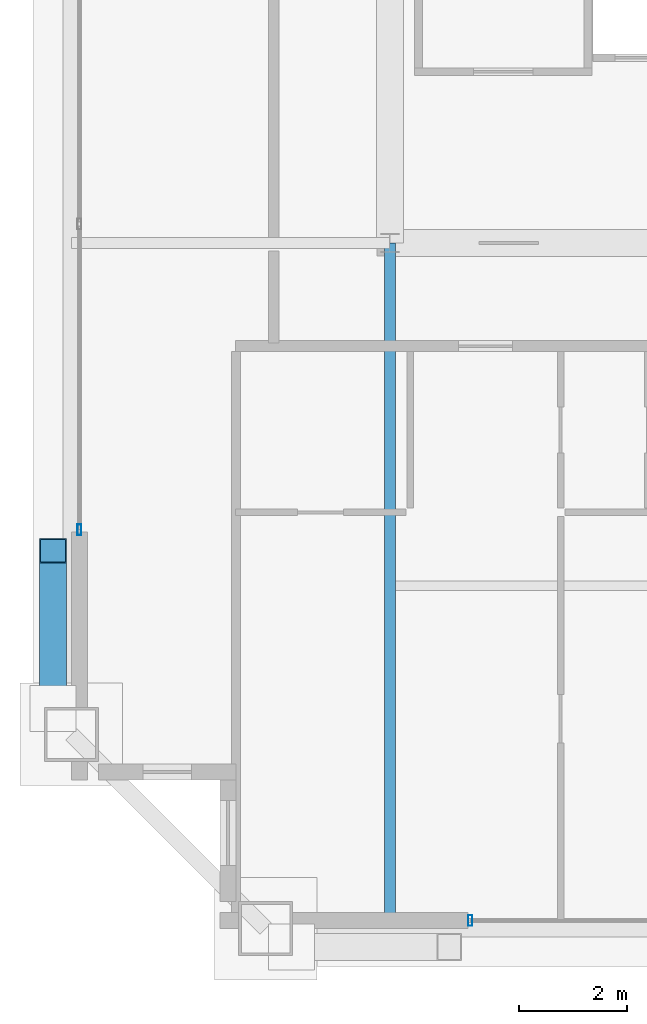
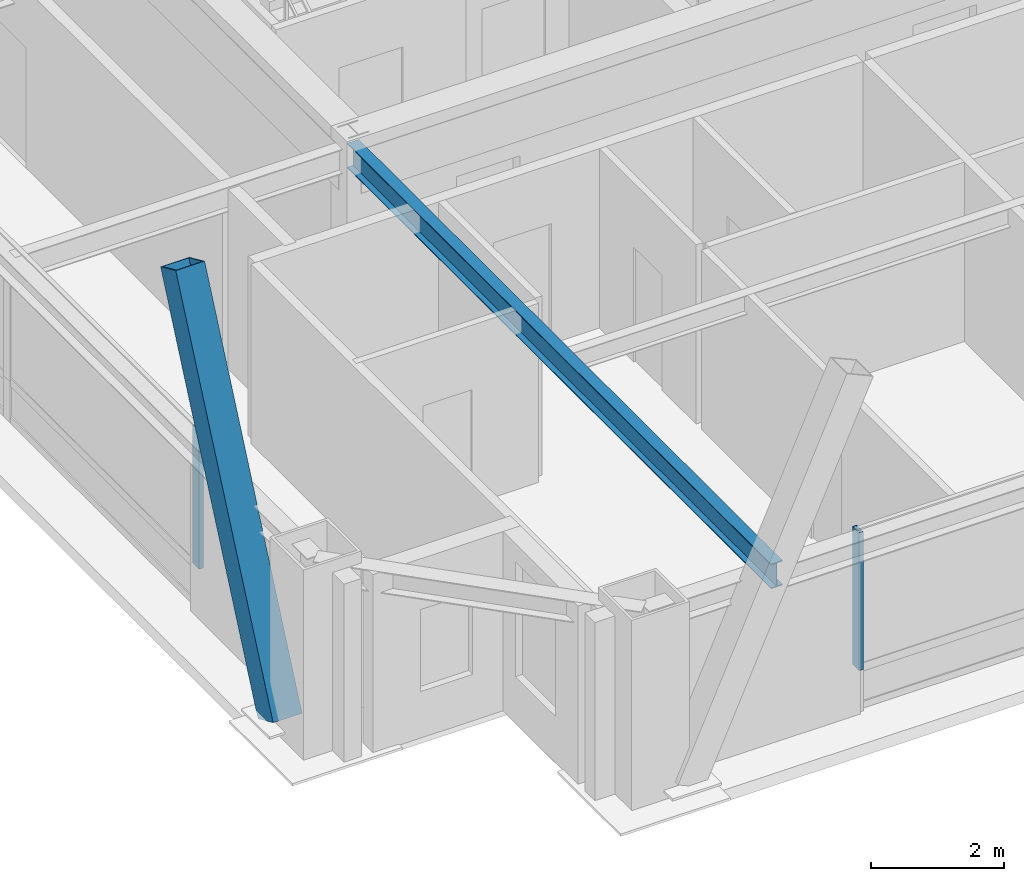
# One storey, part 4 of 35: 3 members, 1 beam, 2 elements without a shape of their own.
"""IFC4 building model written with IfcOpenShell, lengths in metres."""

from ifc_helpers import new_model, si_unit, direction, frame, origin, origin_2d, place, context, subcontext, project, spatial, hollow_rectangle, i_section, extrude, source, transform, mapped, material, layer, layer_set, material_profile, profile_set, type_object, element, aggregate, save


model = new_model("IFC4")

# Units and contexts
model_context = context("Model", 3, precision=1e-05, world=origin(), true_north=direction((0.0, 1.0)))
body_context = subcontext(model_context, "Body", "Model", "MODEL_VIEW")
ifc_project = project(units=[si_unit("LENGTHUNIT", "METRE"), si_unit("AREAUNIT", "SQUARE_METRE"), si_unit("VOLUMEUNIT", "CUBIC_METRE"), si_unit("PLANEANGLEUNIT", "RADIAN"), si_unit("MASSUNIT", "GRAM", prefix="KILO"), si_unit("THERMODYNAMICTEMPERATUREUNIT", "KELVIN"), si_unit("POWERUNIT", "WATT")], contexts=[model_context])

# Site, building, storey
site_placement = place(None, origin())
site = spatial("IfcSite", under=ifc_project, at=site_placement, CompositionType="ELEMENT")
building_placement = place(site_placement, origin())
building = spatial("IfcBuilding", under=site, at=building_placement, Name="Yuzanri Waterfront Tower", CompositionType="ELEMENT")
storey_placement = place(building_placement, frame((0.0, 0.0, 285.60009765625)))
storey = spatial("IfcBuildingStorey", under=building, at=storey_placement, Name="L76", CompositionType="ELEMENT", Elevation=285.60009765625)

# Beam
ifc_material_1 = material(Name="Steel Q355B", Category="steel")
ifc_material_profile_1 = material_profile(ifc_material_1, i_section(OverallWidth=0.199951171875, OverallDepth=0.449951171875, WebThickness=0.009033203125, FlangeThickness=0.013916015625, at=origin_2d()), Name="HN 450x200x9x14")
ifc_profile_set_1 = profile_set([ifc_material_profile_1], Name="Steel Q355B")
beam_type = type_object("IfcBeamType", Name="Secondary Floor Beam Q355B HN 450x200", PredefinedType="BEAM", material=ifc_profile_set_1)
shared_shape_1 = source(origin(), body_context, "Body", "SweptSolid", [
    extrude(i_section(OverallWidth=0.199951171875, OverallDepth=0.449951171875, WebThickness=0.009033203125, FlangeThickness=0.013916015625, at=origin_2d()), origin(), (0.0, 0.0, 1.0), 12.699951171875),
])
beam_placement = place(storey_placement, frame((23.800048828125, 19.39990234375, 3.054931640625), z_axis=(0.0, -1.0, 0.0), x_axis=(1.0, 0.0, 0.0)))
element("IfcBeam", 1, at=beam_placement, inside=storey, type_object=beam_type, Name="L76 South-West Core Line Beam", PredefinedType="BEAM", context=body_context, shape_type="MappedRepresentation", body=[
    mapped(shared_shape_1, transform((0.0, 0.0, 0.0), scale=1.0)),
])

# Member
ifc_material_2 = material(Name="Steel Q390GJC", Category="steel")
ifc_material_profile_2 = material_profile(ifc_material_2, hollow_rectangle(XDim=0.5, YDim=0.5, WallThickness=0.02197265625, at=origin_2d()), Name="RHS 500x500x22")
ifc_profile_set_2 = profile_set([ifc_material_profile_2], Name="Steel Q390GJC")
member_type_1 = type_object("IfcMemberType", Name="Mega Brace Upper Q390GJC RHS 500x500x22", PredefinedType="BRACE", material=ifc_profile_set_2)
shared_shape_2 = source(origin(), body_context, "Body", "SweptSolid", [
    extrude(hollow_rectangle(XDim=0.5, YDim=0.5, WallThickness=0.02197265625, at=origin_2d()), origin(), (0.0, 0.0, 1.0), 7.125732421875),
])
member_1_placement = place(storey_placement, frame((17.56005859375, 10.780029296875, 0.179931640625), z_axis=(0.0, 0.409771952938, 0.912187999584), x_axis=(-1.0, 0.0, 0.0)))
element("IfcMember", 2, at=member_1_placement, inside=storey, type_object=member_type_1, Name="L76-L77 Perimeter Mega-Brace W-L", PredefinedType="BRACE", context=body_context, shape_type="MappedRepresentation", body=[
    mapped(shared_shape_2, transform((0.0, 0.0, 0.0), scale=1.0)),
])

# Curtain wall, member
ifc_material_3 = material(Name="Anodized Architectural Bronze", Category="metal")
ifc_layer = layer(ifc_material_3, 0.159912109375)
ifc_layer_set = layer_set([ifc_layer], Name="Anodized Architectural Bronze")
curtain_wall_type = type_object("IfcCurtainWallType", Name="Anodized Bronze High-Rise Penthouse High-Wind Unitized Curtain Wall 6900", PredefinedType="NOTDEFINED", material=ifc_layer_set)
curtain_wall_1_placement = place(storey_placement, origin())
curtain_wall_1 = element("IfcCurtainWall", 3, at=curtain_wall_1_placement, inside=storey, type_object=curtain_wall_type, Name="L76 Curtain Wall CW-L76-SL", PredefinedType="NOTDEFINED")
ifc_material_4 = material(Name="Anodized Architectural Bronze", Category="metal")
ifc_material_profile_3 = material_profile(ifc_material_4, hollow_rectangle(XDim=0.074951171875, YDim=0.199951171875, WallThickness=0.00390625, at=origin_2d()), Name="CWM 75x200")
ifc_profile_set_3 = profile_set([ifc_material_profile_3], Name="Anodized Architectural Bronze")
member_type_2 = type_object("IfcMemberType", Name="Anodized Bronze Primary Curtain-Wall Mullion 75x200", PredefinedType="MULLION", material=ifc_profile_set_3)
shared_shape_3 = source(origin(), body_context, "Body", "SweptSolid", [
    extrude(hollow_rectangle(XDim=0.074951171875, YDim=0.199951171875, WallThickness=0.00390625, at=origin_2d()), origin(), (0.0, 0.0, 1.0), 2.52392578125),
])
member_2_placement = place(storey_placement, frame((25.2900390625, 6.85009765625, 0.755859375), z_axis=(0.0, 0.0, 1.0), x_axis=(1.0, 0.0, 0.0)))
member_2 = element("IfcMember", 4, at=member_2_placement, type_object=member_type_2, Name="CW-L76-SL Upper Mullion 00", PredefinedType="MULLION", context=body_context, shape_type="MappedRepresentation", body=[
    mapped(shared_shape_3, transform((0.0, 0.0, 0.0), scale=1.0)),
])
aggregate(curtain_wall_1, [member_2])

curtain_wall_2_placement = place(storey_placement, origin())
curtain_wall_2 = element("IfcCurtainWall", 5, at=curtain_wall_2_placement, inside=storey, type_object=curtain_wall_type, Name="L76 Curtain Wall CW-L76-WL", PredefinedType="NOTDEFINED")
member_3_placement = place(storey_placement, frame((18.050048828125, 14.090087890625, 0.755859375), z_axis=(0.0, 0.0, 1.0), x_axis=(1.0, 0.0, 0.0)))
member_3 = element("IfcMember", 6, at=member_3_placement, type_object=member_type_2, Name="CW-L76-WL Upper Mullion 00", PredefinedType="MULLION", context=body_context, shape_type="MappedRepresentation", body=[
    mapped(shared_shape_3, transform((0.0, 0.0, 0.0), scale=1.0)),
])
aggregate(curtain_wall_2, [member_3])

save(model, "model.ifc")
